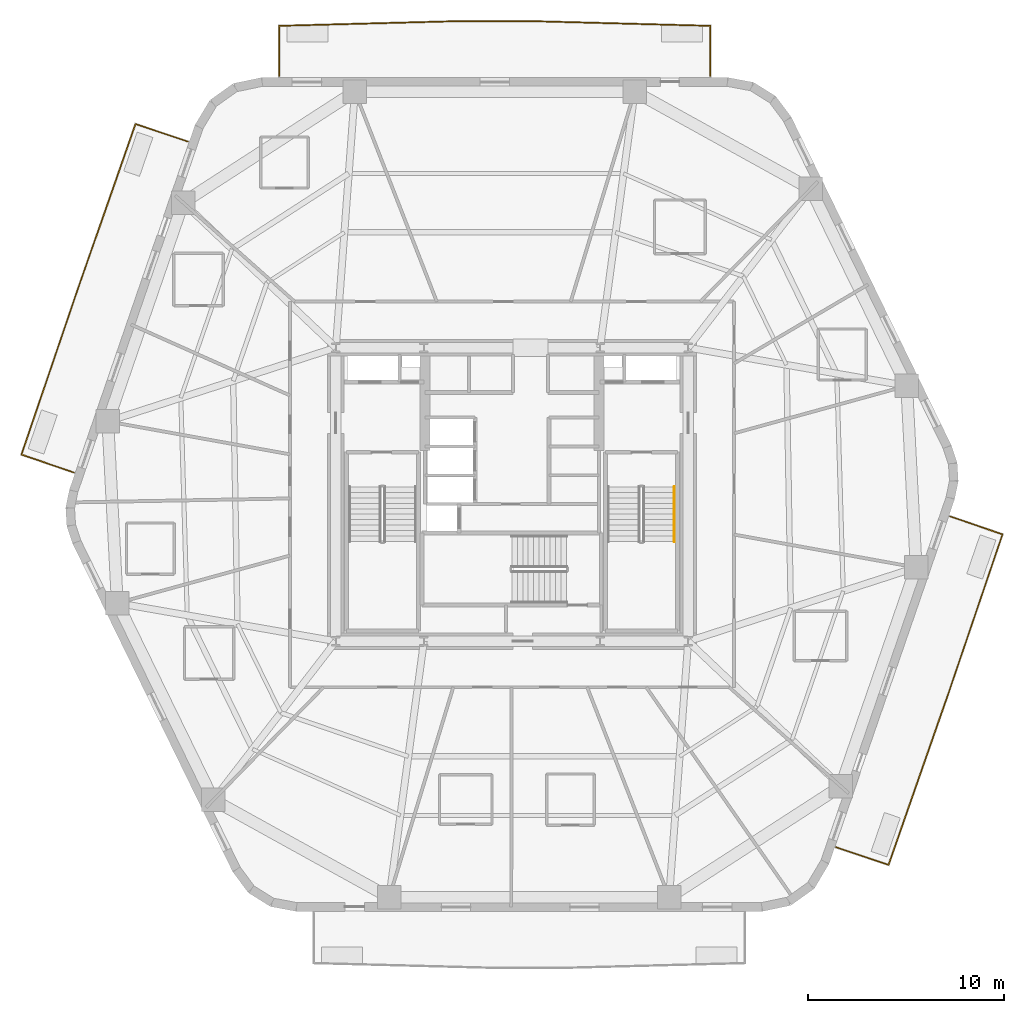
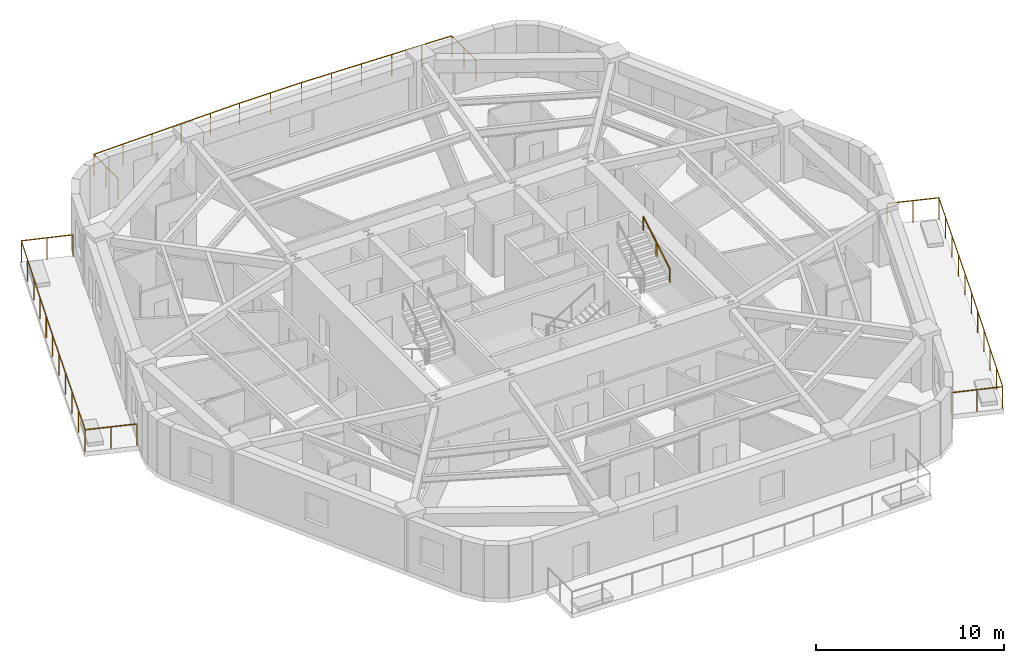
# One storey, part 8 of 8: 4 railings.
"""IFC4 building model written with IfcOpenShell, lengths in metres."""

from ifc_helpers import new_model, si_unit, direction, frame, origin, origin_2d, place, context, subcontext, project, spatial, rectangle, extrude, material, layer, layer_set, type_object, element, save


model = new_model("IFC4")

# Units and contexts
model_context = context("Model", 3, precision=1e-05, world=origin(), true_north=direction((0.0, 1.0)))
body_context = subcontext(model_context, "Body", "Model", "MODEL_VIEW")
ifc_project = project(units=[si_unit("LENGTHUNIT", "METRE"), si_unit("AREAUNIT", "SQUARE_METRE"), si_unit("VOLUMEUNIT", "CUBIC_METRE"), si_unit("PLANEANGLEUNIT", "RADIAN"), si_unit("MASSUNIT", "GRAM", prefix="KILO")], contexts=[model_context])

# Site, building, storey
site_placement = place(None, origin())
site = spatial("IfcSite", under=ifc_project, at=site_placement, CompositionType="ELEMENT")
building_placement = place(site_placement, origin())
building = spatial("IfcBuilding", under=site, at=building_placement, Name="Kilnhurst Terrace Hotel", CompositionType="ELEMENT")
storey_placement = place(building_placement, frame((0.0, 0.0, 102.5)))
storey = spatial("IfcBuildingStorey", under=building, at=storey_placement, Name="L24", CompositionType="ELEMENT", Elevation=102.5)

# Railings
ifc_material_1 = material(Name="Laminated SentryGlas and Stainless Steel AISI 316L Balustrade", Category="steel")
ifc_layer_1 = layer(ifc_material_1, 0.070068359375, Name="Laminated SentryGlas and Stainless Steel AISI 316L Balustrade")
ifc_layer_set_1 = layer_set([ifc_layer_1], Name="Laminated SentryGlas and Stainless Steel AISI 316L Balustrade")
railing_type_1 = type_object("IfcRailingType", Name="RLG-BAL-1420", PredefinedType="BALUSTRADE", material=ifc_layer_set_1)
railing_1_placement = place(storey_placement, frame((22.394287109375, -1.123779296875, 0.0)))
element("IfcRailing", 1, at=railing_1_placement, inside=storey, type_object=railing_type_1, Name="L24 Exterior Terrace Guardrail BAL-L1B.1", PredefinedType="BALUSTRADE", context=body_context, shape_type="SweptSolid", body=[
    extrude(rectangle(XDim=0.048095703125, YDim=0.048095703125, at=origin_2d()), frame((0.0, 0.0, 1.39599609375), z_axis=(0.945999088216, -0.324169284625, 0.0), x_axis=(0.324169284625, 0.945999088216, 0.0)), (0.0, 0.0, 1.0), 2.818115234375),
    extrude(rectangle(XDim=0.048095703125, YDim=0.048095703125, at=origin_2d()), frame((2.666015625, -0.91357421875, 1.39599609375), z_axis=(-0.322236749626, -0.946659113509, 0.0), x_axis=(0.946659113509, -0.322236749626, 0.0)), (0.0, 0.0, 1.0), 8.94921875),
    extrude(rectangle(XDim=0.048095703125, YDim=0.048095703125, at=origin_2d()), frame((-0.2177734375, -9.385498046875, 1.39599609375), z_axis=(-0.329867270016, -0.94402732173, 0.0), x_axis=(0.94402732173, -0.329867270016, 0.0)), (0.0, 0.0, 1.0), 8.9140625),
    extrude(rectangle(XDim=0.048095703125, YDim=0.048095703125, at=origin_2d()), frame((-3.158203125, -17.800537109375, 1.39599609375), z_axis=(-0.948125796951, 0.317895380834, 0.0), x_axis=(-0.317895380834, -0.948125796951, 0.0)), (0.0, 0.0, 1.0), 2.81005859375),
    extrude(rectangle(XDim=0.0419921875, YDim=0.0419921875, at=origin_2d()), origin(), (0.0, 0.0, 1.0), 1.371826171875),
    extrude(rectangle(XDim=0.0419921875, YDim=0.0419921875, at=origin_2d()), frame((1.3330078125, -0.456787109375, 0.0)), (0.0, 0.0, 1.0), 1.371826171875),
    extrude(rectangle(XDim=0.0419921875, YDim=0.0419921875, at=origin_2d()), frame((2.666015625, -0.91357421875, 0.0)), (0.0, 0.0, 1.0), 1.371826171875),
    extrude(rectangle(XDim=0.0419921875, YDim=0.0419921875, at=origin_2d()), frame((2.08935546875, -2.60791015625, 0.0)), (0.0, 0.0, 1.0), 1.371826171875),
    extrude(rectangle(XDim=0.0419921875, YDim=0.0419921875, at=origin_2d()), frame((1.512451171875, -4.30224609375, 0.0)), (0.0, 0.0, 1.0), 1.371826171875),
    extrude(rectangle(XDim=0.0419921875, YDim=0.0419921875, at=origin_2d()), frame((0.935791015625, -5.996826171875, 0.0)), (0.0, 0.0, 1.0), 1.371826171875),
    extrude(rectangle(XDim=0.0419921875, YDim=0.0419921875, at=origin_2d()), frame((0.35888671875, -7.691162109375, 0.0)), (0.0, 0.0, 1.0), 1.371826171875),
    extrude(rectangle(XDim=0.0419921875, YDim=0.0419921875, at=origin_2d()), frame((-0.2177734375, -9.385498046875, 0.0)), (0.0, 0.0, 1.0), 1.371826171875),
    extrude(rectangle(XDim=0.0419921875, YDim=0.0419921875, at=origin_2d()), frame((-0.805908203125, -11.068603515625, 0.0)), (0.0, 0.0, 1.0), 1.371826171875),
    extrude(rectangle(XDim=0.0419921875, YDim=0.0419921875, at=origin_2d()), frame((-1.39404296875, -12.75146484375, 0.0)), (0.0, 0.0, 1.0), 1.371826171875),
    extrude(rectangle(XDim=0.0419921875, YDim=0.0419921875, at=origin_2d()), frame((-1.98193359375, -14.4345703125, 0.0)), (0.0, 0.0, 1.0), 1.371826171875),
    extrude(rectangle(XDim=0.0419921875, YDim=0.0419921875, at=origin_2d()), frame((-2.570068359375, -16.117431640625, 0.0)), (0.0, 0.0, 1.0), 1.371826171875),
    extrude(rectangle(XDim=0.0419921875, YDim=0.0419921875, at=origin_2d()), frame((-3.158203125, -17.800537109375, 0.0)), (0.0, 0.0, 1.0), 1.371826171875),
    extrude(rectangle(XDim=0.0419921875, YDim=0.0419921875, at=origin_2d()), frame((-4.490234375, -17.35400390625, 0.0)), (0.0, 0.0, 1.0), 1.371826171875),
    extrude(rectangle(XDim=0.0419921875, YDim=0.0419921875, at=origin_2d()), frame((-5.822509765625, -16.9072265625, 0.0)), (0.0, 0.0, 1.0), 1.371826171875),
])
railing_2_placement = place(storey_placement, frame((-11.8837890625, 21.3798828125, 0.0)))
element("IfcRailing", 2, at=railing_2_placement, inside=storey, type_object=railing_type_1, Name="L24 Exterior Terrace Guardrail BAL-L2A.1", PredefinedType="BALUSTRADE", context=body_context, shape_type="SweptSolid", body=[
    extrude(rectangle(XDim=0.048095703125, YDim=0.048095703125, at=origin_2d()), frame((0.0, 0.0, 1.39599609375), z_axis=(0.0, 1.0, 0.0), x_axis=(-1.0, 0.0, 0.0)), (0.0, 0.0, 1.0), 2.561767578125),
    extrude(rectangle(XDim=0.048095703125, YDim=0.048095703125, at=origin_2d()), frame((0.0, 2.561767578125, 1.39599609375), z_axis=(0.999657105501, 0.026185328367, 0.0), x_axis=(-0.026185328367, 0.999657105501, 0.0)), (0.0, 0.0, 1.0), 9.099853515625),
    extrude(rectangle(XDim=0.048095703125, YDim=0.048095703125, at=origin_2d()), frame((9.0966796875, 2.800048828125, 1.39599609375), z_axis=(1.0, 0.0, 0.0), x_axis=(0.0, 1.0, 0.0)), (0.0, 0.0, 1.0), 3.8134765625),
    extrude(rectangle(XDim=0.048095703125, YDim=0.048095703125, at=origin_2d()), frame((12.91015625, 2.800048828125, 1.39599609375), z_axis=(0.999657105501, -0.026185328367, 0.0), x_axis=(0.026185328367, 0.999657105501, 0.0)), (0.0, 0.0, 1.0), 9.099853515625),
    extrude(rectangle(XDim=0.048095703125, YDim=0.048095703125, at=origin_2d()), frame((22.0068359375, 2.561767578125, 1.39599609375), z_axis=(0.0, -1.0, 0.0), x_axis=(1.0, 0.0, 0.0)), (0.0, 0.0, 1.0), 2.561767578125),
    extrude(rectangle(XDim=0.0419921875, YDim=0.0419921875, at=origin_2d()), origin(), (0.0, 0.0, 1.0), 1.371826171875),
    extrude(rectangle(XDim=0.0419921875, YDim=0.0419921875, at=origin_2d()), frame((0.0, 1.28076171875, 0.0)), (0.0, 0.0, 1.0), 1.371826171875),
    extrude(rectangle(XDim=0.0419921875, YDim=0.0419921875, at=origin_2d()), frame((0.0, 2.561767578125, 0.0)), (0.0, 0.0, 1.0), 1.371826171875),
    extrude(rectangle(XDim=0.0419921875, YDim=0.0419921875, at=origin_2d()), frame((1.8193359375, 2.609375, 0.0)), (0.0, 0.0, 1.0), 1.371826171875),
    extrude(rectangle(XDim=0.0419921875, YDim=0.0419921875, at=origin_2d()), frame((3.638671875, 2.656982421875, 0.0)), (0.0, 0.0, 1.0), 1.371826171875),
    extrude(rectangle(XDim=0.0419921875, YDim=0.0419921875, at=origin_2d()), frame((5.4580078125, 2.704833984375, 0.0)), (0.0, 0.0, 1.0), 1.371826171875),
    extrude(rectangle(XDim=0.0419921875, YDim=0.0419921875, at=origin_2d()), frame((7.27734375, 2.75244140625, 0.0)), (0.0, 0.0, 1.0), 1.371826171875),
    extrude(rectangle(XDim=0.0419921875, YDim=0.0419921875, at=origin_2d()), frame((9.0966796875, 2.800048828125, 0.0)), (0.0, 0.0, 1.0), 1.371826171875),
    extrude(rectangle(XDim=0.0419921875, YDim=0.0419921875, at=origin_2d()), frame((11.00341796875, 2.800048828125, 0.0)), (0.0, 0.0, 1.0), 1.371826171875),
    extrude(rectangle(XDim=0.0419921875, YDim=0.0419921875, at=origin_2d()), frame((12.91015625, 2.800048828125, 0.0)), (0.0, 0.0, 1.0), 1.371826171875),
    extrude(rectangle(XDim=0.0419921875, YDim=0.0419921875, at=origin_2d()), frame((14.7294921875, 2.75244140625, 0.0)), (0.0, 0.0, 1.0), 1.371826171875),
    extrude(rectangle(XDim=0.0419921875, YDim=0.0419921875, at=origin_2d()), frame((16.548828125, 2.704833984375, 0.0)), (0.0, 0.0, 1.0), 1.371826171875),
    extrude(rectangle(XDim=0.0419921875, YDim=0.0419921875, at=origin_2d()), frame((18.3681640625, 2.656982421875, 0.0)), (0.0, 0.0, 1.0), 1.371826171875),
    extrude(rectangle(XDim=0.0419921875, YDim=0.0419921875, at=origin_2d()), frame((20.1875, 2.609375, 0.0)), (0.0, 0.0, 1.0), 1.371826171875),
    extrude(rectangle(XDim=0.0419921875, YDim=0.0419921875, at=origin_2d()), frame((22.0068359375, 2.561767578125, 0.0)), (0.0, 0.0, 1.0), 1.371826171875),
    extrude(rectangle(XDim=0.0419921875, YDim=0.0419921875, at=origin_2d()), frame((22.0068359375, 1.28076171875, 0.0)), (0.0, 0.0, 1.0), 1.371826171875),
    extrude(rectangle(XDim=0.0419921875, YDim=0.0419921875, at=origin_2d()), frame((22.0068359375, 0.0, 0.0)), (0.0, 0.0, 1.0), 1.371826171875),
])
railing_3_placement = place(storey_placement, frame((-22.394287109375, 1.123779296875, 0.0)))
element("IfcRailing", 3, at=railing_3_placement, inside=storey, type_object=railing_type_1, Name="L24 Exterior Terrace Guardrail BAL-L2B.1", PredefinedType="BALUSTRADE", context=body_context, shape_type="SweptSolid", body=[
    extrude(rectangle(XDim=0.048095703125, YDim=0.048095703125, at=origin_2d()), frame((0.0, 0.0, 1.39599609375), z_axis=(-0.945999088216, 0.324169284625, 0.0), x_axis=(-0.324169284625, -0.945999088216, 0.0)), (0.0, 0.0, 1.0), 2.818115234375),
    extrude(rectangle(XDim=0.048095703125, YDim=0.048095703125, at=origin_2d()), frame((-2.666015625, 0.91357421875, 1.39599609375), z_axis=(0.322236749626, 0.946659113509, 0.0), x_axis=(-0.946659113509, 0.322236749626, 0.0)), (0.0, 0.0, 1.0), 8.94921875),
    extrude(rectangle(XDim=0.048095703125, YDim=0.048095703125, at=origin_2d()), frame((0.2177734375, 9.385498046875, 1.39599609375), z_axis=(0.329867270016, 0.94402732173, 0.0), x_axis=(-0.94402732173, 0.329867270016, 0.0)), (0.0, 0.0, 1.0), 8.9140625),
    extrude(rectangle(XDim=0.048095703125, YDim=0.048095703125, at=origin_2d()), frame((3.158203125, 17.800537109375, 1.39599609375), z_axis=(0.948125796951, -0.317895380834, 0.0), x_axis=(0.317895380834, 0.948125796951, 0.0)), (0.0, 0.0, 1.0), 2.81005859375),
    extrude(rectangle(XDim=0.0419921875, YDim=0.0419921875, at=origin_2d()), origin(), (0.0, 0.0, 1.0), 1.371826171875),
    extrude(rectangle(XDim=0.0419921875, YDim=0.0419921875, at=origin_2d()), frame((-1.3330078125, 0.456787109375, 0.0)), (0.0, 0.0, 1.0), 1.371826171875),
    extrude(rectangle(XDim=0.0419921875, YDim=0.0419921875, at=origin_2d()), frame((-2.666015625, 0.91357421875, 0.0)), (0.0, 0.0, 1.0), 1.371826171875),
    extrude(rectangle(XDim=0.0419921875, YDim=0.0419921875, at=origin_2d()), frame((-2.08935546875, 2.60791015625, 0.0)), (0.0, 0.0, 1.0), 1.371826171875),
    extrude(rectangle(XDim=0.0419921875, YDim=0.0419921875, at=origin_2d()), frame((-1.512451171875, 4.30224609375, 0.0)), (0.0, 0.0, 1.0), 1.371826171875),
    extrude(rectangle(XDim=0.0419921875, YDim=0.0419921875, at=origin_2d()), frame((-0.935791015625, 5.996826171875, 0.0)), (0.0, 0.0, 1.0), 1.371826171875),
    extrude(rectangle(XDim=0.0419921875, YDim=0.0419921875, at=origin_2d()), frame((-0.35888671875, 7.691162109375, 0.0)), (0.0, 0.0, 1.0), 1.371826171875),
    extrude(rectangle(XDim=0.0419921875, YDim=0.0419921875, at=origin_2d()), frame((0.2177734375, 9.385498046875, 0.0)), (0.0, 0.0, 1.0), 1.371826171875),
    extrude(rectangle(XDim=0.0419921875, YDim=0.0419921875, at=origin_2d()), frame((0.805908203125, 11.068603515625, 0.0)), (0.0, 0.0, 1.0), 1.371826171875),
    extrude(rectangle(XDim=0.0419921875, YDim=0.0419921875, at=origin_2d()), frame((1.39404296875, 12.75146484375, 0.0)), (0.0, 0.0, 1.0), 1.371826171875),
    extrude(rectangle(XDim=0.0419921875, YDim=0.0419921875, at=origin_2d()), frame((1.98193359375, 14.4345703125, 0.0)), (0.0, 0.0, 1.0), 1.371826171875),
    extrude(rectangle(XDim=0.0419921875, YDim=0.0419921875, at=origin_2d()), frame((2.570068359375, 16.117431640625, 0.0)), (0.0, 0.0, 1.0), 1.371826171875),
    extrude(rectangle(XDim=0.0419921875, YDim=0.0419921875, at=origin_2d()), frame((3.158203125, 17.800537109375, 0.0)), (0.0, 0.0, 1.0), 1.371826171875),
    extrude(rectangle(XDim=0.0419921875, YDim=0.0419921875, at=origin_2d()), frame((4.490234375, 17.35400390625, 0.0)), (0.0, 0.0, 1.0), 1.371826171875),
    extrude(rectangle(XDim=0.0419921875, YDim=0.0419921875, at=origin_2d()), frame((5.822509765625, 16.9072265625, 0.0)), (0.0, 0.0, 1.0), 1.371826171875),
])
ifc_material_2 = material(Name="Brushed Stainless Steel AISI 304", Category="steel")
ifc_layer_2 = layer(ifc_material_2, 0.048095703125, Name="Brushed Stainless Steel AISI 304")
ifc_layer_set_2 = layer_set([ifc_layer_2], Name="Brushed Stainless Steel AISI 304")
railing_type_2 = type_object("IfcRailingType", Name="RLG-ST-HRL-900", PredefinedType="HANDRAIL", material=ifc_layer_set_2)
railing_4_placement = place(storey_placement, frame((8.300048828125, -2.409912109375, 2.01806640625)))
element("IfcRailing", 4, at=railing_4_placement, inside=storey, type_object=railing_type_2, Name="L24 ST-2 stair handrail 2", PredefinedType="HANDRAIL", context=body_context, shape_type="SweptSolid", body=[
    extrude(rectangle(XDim=0.048095703125, YDim=0.048095703125, at=origin_2d()), frame((0.0, 0.0, 0.8759765625), z_axis=(0.0, 0.857222391501, 0.514946377315), x_axis=(-1.0, 0.0, 0.0)), (0.0, 0.0, 1.0), 3.26611328125),
    extrude(rectangle(XDim=0.0419921875, YDim=0.0419921875, at=origin_2d()), origin(), (0.0, 0.0, 1.0), 0.851806640625),
    extrude(rectangle(XDim=0.0419921875, YDim=0.0419921875, at=origin_2d()), frame((0.0, 1.39990234375, 0.8408203125)), (0.0, 0.0, 1.0), 0.851806640625),
    extrude(rectangle(XDim=0.0419921875, YDim=0.0419921875, at=origin_2d()), frame((0.0, 2.7998046875, 1.681884765625)), (0.0, 0.0, 1.0), 0.851806640625),
])

save(model, "model.ifc")
